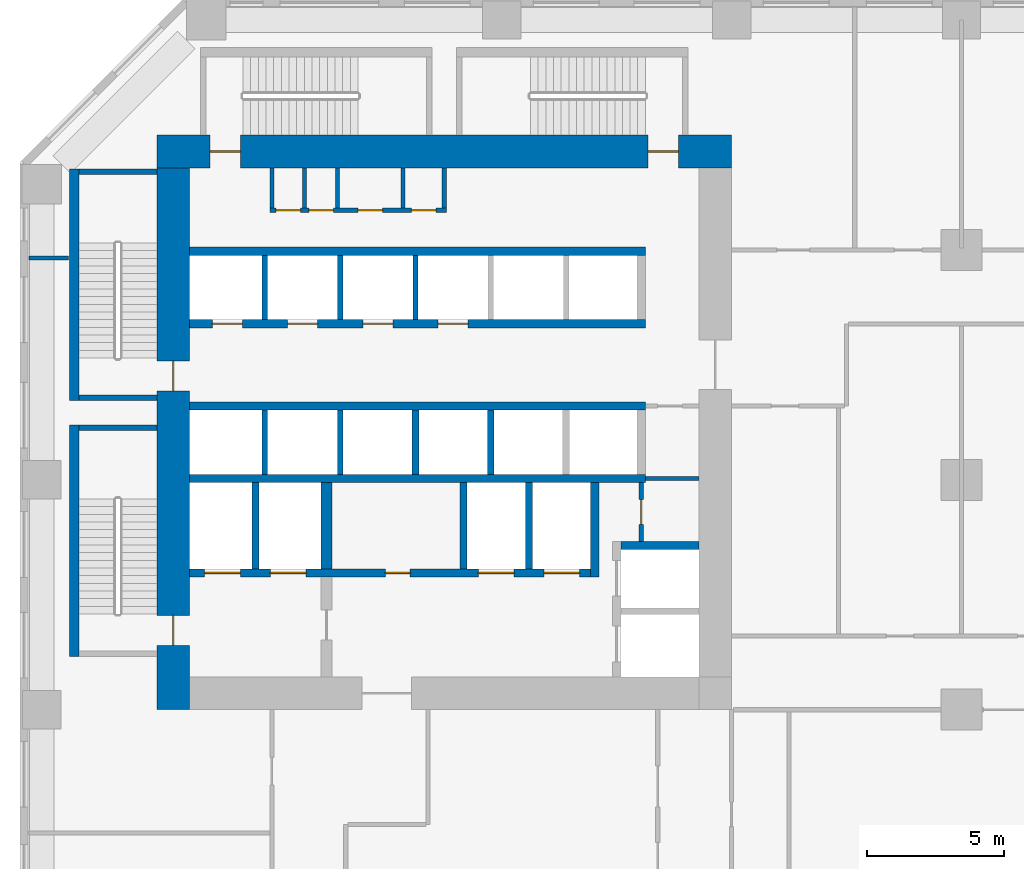
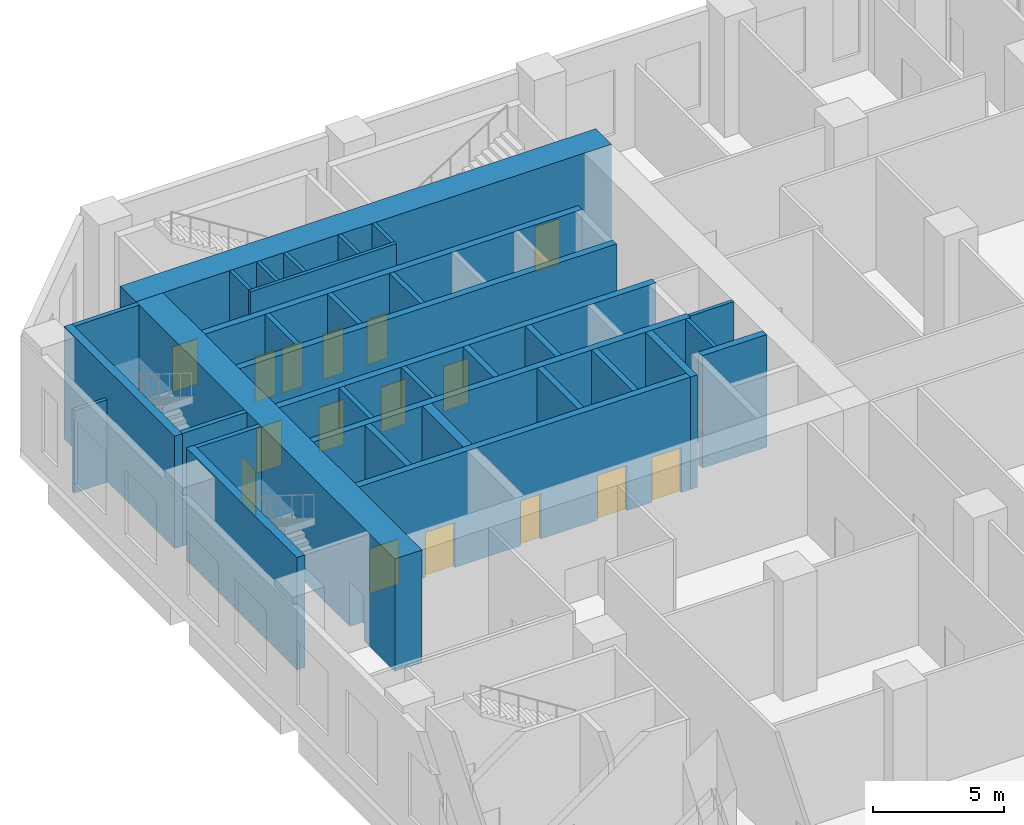
# One storey, part 7 of 17: 34 walls, 18 doors, 18 openings.
"""IFC4 building model written with IfcOpenShell, lengths in metres."""

from ifc_helpers import new_model, si_unit, direction, frame, frame_2d, origin, place, context, subcontext, project, spatial, rectangle, extrude, material, layer, layer_set, type_object, element, fill, save


model = new_model("IFC4")

# Units and contexts
model_context = context("Model", 3, precision=1e-05, world=origin(), true_north=direction((0.0, 1.0)))
body_context = subcontext(model_context, "Body", "Model", "MODEL_VIEW")
ifc_project = project(units=[si_unit("LENGTHUNIT", "METRE"), si_unit("AREAUNIT", "SQUARE_METRE"), si_unit("VOLUMEUNIT", "CUBIC_METRE"), si_unit("PLANEANGLEUNIT", "RADIAN"), si_unit("MASSUNIT", "GRAM", prefix="KILO")], contexts=[model_context])

# Site, building, storey
site_placement = place(None, origin())
site = spatial("IfcSite", under=ifc_project, at=site_placement, CompositionType="ELEMENT")
building_placement = place(site_placement, origin())
building = spatial("IfcBuilding", under=site, at=building_placement, Name="Kawkab Arch Medical Tower", CompositionType="ELEMENT")
storey_placement = place(building_placement, frame((0.0, 0.0, 7.0)))
storey = spatial("IfcBuildingStorey", under=building, at=storey_placement, Name="L02", CompositionType="ELEMENT", Elevation=7.0)

# Wall, openings, doors
ifc_material_1 = material(Name="Concrete C60/75", Category="concrete")
ifc_layer_1 = layer(ifc_material_1, 1.199951171875)
ifc_layer_set_1 = layer_set([ifc_layer_1], Name="Concrete C60/75")
wall_type_1 = type_object("IfcWallType", Name="Core ring wall 1200 C60/75", PredefinedType="SHEAR", material=ifc_layer_set_1)
wall_1_placement = place(storey_placement, frame((4.199951171875, -4.800048828125, 0.0), z_axis=(0.0, 0.0, 1.0), x_axis=(1.0, 0.0, 0.0)))
wall_1 = element("IfcWall", 1, at=wall_1_placement, inside=storey, type_object=wall_type_1, Name="L02 core wall", PredefinedType="SHEAR", context=body_context, shape_type="SweptSolid", body=[
    extrude(rectangle(XDim=21.0, YDim=1.199951171875, at=frame_2d((10.5, 0.0))), origin(), (0.0, 0.0, 1.0), 5.25),
])
opening_1_placement = place(wall_1_placement, frame((1.949951171875, 0.0, 0.0)))
opening_1 = element("IfcOpeningElement", 2, at=opening_1_placement, cuts=wall_1, Name="Opening SD", PredefinedType="OPENING", context=body_context, shape_type="SweptSolid", body=[
    extrude(rectangle(XDim=1.10009765625, YDim=2.10009765625, at=frame_2d((0.550048828125, 1.050048828125))), frame((0.0, 0.60986328125, 0.0), z_axis=(0.0, -1.0, 0.0), x_axis=(1.0, 0.0, 0.0)), (0.0, 0.0, 1.0), 1.219970703125),
])
opening_2_placement = place(wall_1_placement, frame((17.949951171875, 0.0, 0.0)))
opening_2 = element("IfcOpeningElement", 3, at=opening_2_placement, cuts=wall_1, Name="Opening SD", PredefinedType="OPENING", context=body_context, shape_type="SweptSolid", body=[
    extrude(rectangle(XDim=1.10009765625, YDim=2.10009765625, at=frame_2d((0.550048828125, 1.050048828125))), frame((0.0, 0.60986328125, 0.0), z_axis=(0.0, -1.0, 0.0), x_axis=(1.0, 0.0, 0.0)), (0.0, 0.0, 1.0), 1.219970703125),
])
ifc_material_2 = material(Name="Hollow metal fire door leaf")
door_type_1 = type_object("IfcDoorType", Name="Exit stair door 1100", OperationType="SINGLE_SWING_LEFT", PredefinedType="DOOR", material=ifc_material_2)
door_1_placement = place(opening_1_placement, origin())
door_1 = element("IfcDoor", 4, at=door_1_placement, inside=storey, type_object=door_type_1, Name="L02 Exit stair ST3 door", OperationType="SINGLE_SWING_LEFT", OverallHeight=2.10009765625, OverallWidth=1.10009765625, PredefinedType="DOOR", context=body_context, shape_type="SweptSolid", body=[
    extrude(rectangle(XDim=1.10009765625, YDim=2.10009765625, at=frame_2d((0.550048828125, 1.050048828125))), frame((0.0, 0.02490234375, 0.0), z_axis=(0.0, -1.0, 0.0), x_axis=(1.0, 0.0, 0.0)), (0.0, 0.0, 1.0), 0.050048828125),
])
fill(opening_1, door_1)
door_2_placement = place(opening_2_placement, origin())
door_2 = element("IfcDoor", 5, at=door_2_placement, inside=storey, type_object=door_type_1, Name="L02 Exit stair ST4 door", OperationType="SINGLE_SWING_LEFT", OverallHeight=2.10009765625, OverallWidth=1.10009765625, PredefinedType="DOOR", context=body_context, shape_type="SweptSolid", body=[
    extrude(rectangle(XDim=1.10009765625, YDim=2.10009765625, at=frame_2d((0.550048828125, 1.050048828125))), frame((0.0, 0.02490234375, 0.0), z_axis=(0.0, -1.0, 0.0), x_axis=(1.0, 0.0, 0.0)), (0.0, 0.0, 1.0), 0.050048828125),
])
fill(opening_2, door_2)

wall_2_placement = place(storey_placement, frame((4.800048828125, -25.199951171875, 0.0), z_axis=(0.0, 0.0, 1.0), x_axis=(0.0, 1.0, 0.0)))
wall_2 = element("IfcWall", 6, at=wall_2_placement, inside=storey, type_object=wall_type_1, Name="L02 core wall", PredefinedType="SHEAR", context=body_context, shape_type="SweptSolid", body=[
    extrude(rectangle(XDim=19.800048828125, YDim=1.199951171875, at=frame_2d((9.89990234375, 0.0))), origin(), (0.0, 0.0, 1.0), 5.25),
])
opening_3_placement = place(wall_2_placement, frame((11.64990234375, 0.0, 0.0)))
opening_3 = element("IfcOpeningElement", 7, at=opening_3_placement, cuts=wall_2, Name="Opening SD", PredefinedType="OPENING", context=body_context, shape_type="SweptSolid", body=[
    extrude(rectangle(XDim=1.10009765625, YDim=2.10009765625, at=frame_2d((0.550048828125, 1.050048828125))), frame((0.0, 0.60986328125, 0.0), z_axis=(0.0, -1.0, 0.0), x_axis=(1.0, 0.0, 0.0)), (0.0, 0.0, 1.0), 1.219970703125),
])
opening_4_placement = place(wall_2_placement, frame((2.35009765625, 0.0, 0.0)))
opening_4 = element("IfcOpeningElement", 8, at=opening_4_placement, cuts=wall_2, Name="Opening SD", PredefinedType="OPENING", context=body_context, shape_type="SweptSolid", body=[
    extrude(rectangle(XDim=1.10009765625, YDim=2.10009765625, at=frame_2d((0.550048828125, 1.050048828125))), frame((0.0, 0.60986328125, 0.0), z_axis=(0.0, -1.0, 0.0), x_axis=(1.0, 0.0, 0.0)), (0.0, 0.0, 1.0), 1.219970703125),
])
door_3_placement = place(opening_3_placement, origin())
door_3 = element("IfcDoor", 9, at=door_3_placement, inside=storey, type_object=door_type_1, Name="L02 Exit stair ST1 door", OperationType="SINGLE_SWING_LEFT", OverallHeight=2.10009765625, OverallWidth=1.10009765625, PredefinedType="DOOR", context=body_context, shape_type="SweptSolid", body=[
    extrude(rectangle(XDim=1.10009765625, YDim=2.10009765625, at=frame_2d((0.550048828125, 1.050048828125))), frame((0.0, 0.02490234375, 0.0), z_axis=(0.0, -1.0, 0.0), x_axis=(1.0, 0.0, 0.0)), (0.0, 0.0, 1.0), 0.050048828125),
])
fill(opening_3, door_3)
door_4_placement = place(opening_4_placement, origin())
door_4 = element("IfcDoor", 10, at=door_4_placement, inside=storey, type_object=door_type_1, Name="L02 Exit stair ST2 door", OperationType="SINGLE_SWING_LEFT", OverallHeight=2.10009765625, OverallWidth=1.10009765625, PredefinedType="DOOR", context=body_context, shape_type="SweptSolid", body=[
    extrude(rectangle(XDim=1.10009765625, YDim=2.10009765625, at=frame_2d((0.550048828125, 1.050048828125))), frame((0.0, 0.02490234375, 0.0), z_axis=(0.0, -1.0, 0.0), x_axis=(1.0, 0.0, 0.0)), (0.0, 0.0, 1.0), 0.050048828125),
])
fill(opening_4, door_4)

# Wall, opening, door
ifc_material_3 = material(Name="Gypsum board on steel studs", Category="steel")
ifc_layer_2 = layer(ifc_material_3, 0.14990234375)
ifc_layer_set_2 = layer_set([ifc_layer_2], Name="Gypsum board on steel studs")
wall_type_2 = type_object("IfcWallType", Name="Core room partition 150", PredefinedType="PARTITIONING", material=ifc_layer_set_2)
wall_3_placement = place(storey_placement, frame((21.89990234375, -19.050048828125, 0.0), z_axis=(0.0, 0.0, 1.0), x_axis=(0.0, 1.0, 0.0)))
wall_3 = element("IfcWall", 11, at=wall_3_placement, inside=storey, type_object=wall_type_2, Name="L02 core room partition", PredefinedType="PARTITIONING", context=body_context, shape_type="SweptSolid", body=[
    extrude(rectangle(XDim=2.150146484375, YDim=0.14990234375, at=frame_2d((1.0751953125, 0.0))), origin(), (0.0, 0.0, 1.0), 5.25),
])
opening_5_placement = place(wall_3_placement, frame((0.625, 0.0, 0.0)))
opening_5 = element("IfcOpeningElement", 12, at=opening_5_placement, cuts=wall_3, Name="Opening RD", PredefinedType="OPENING", context=body_context, shape_type="SweptSolid", body=[
    extrude(rectangle(XDim=0.89990234375, YDim=2.10009765625, at=frame_2d((0.449951171875, 1.050048828125))), frame((0.0, 0.0849609375, 0.0), z_axis=(0.0, -1.0, 0.0), x_axis=(1.0, 0.0, 0.0)), (0.0, 0.0, 1.0), 0.169921875),
])
ifc_material_4 = material(Name="Hollow metal fire door leaf")
door_type_2 = type_object("IfcDoorType", Name="Core room door 900", OperationType="SINGLE_SWING_LEFT", PredefinedType="DOOR", material=ifc_material_4)
door_5_placement = place(opening_5_placement, origin())
door_5 = element("IfcDoor", 13, at=door_5_placement, inside=storey, type_object=door_type_2, Name="L02 Staff WC door", OperationType="SINGLE_SWING_LEFT", OverallHeight=2.10009765625, OverallWidth=0.89990234375, PredefinedType="DOOR", context=body_context, shape_type="SweptSolid", body=[
    extrude(rectangle(XDim=0.89990234375, YDim=2.10009765625, at=frame_2d((0.449951171875, 1.050048828125))), frame((0.0, 0.02490234375, 0.0), z_axis=(0.0, -1.0, 0.0), x_axis=(1.0, 0.0, 0.0)), (0.0, 0.0, 1.0), 0.050048828125),
])
fill(opening_5, door_5)

# Wall
wall_4_placement = place(storey_placement, frame((22.050048828125, -16.75, 0.0), z_axis=(0.0, 0.0, 1.0), x_axis=(1.0, 0.0, 0.0)))
element("IfcWall", 14, at=wall_4_placement, inside=storey, type_object=wall_type_2, Name="L02 core room partition", PredefinedType="PARTITIONING", context=body_context, shape_type="SweptSolid", body=[
    extrude(rectangle(XDim=1.949951171875, YDim=0.14990234375, at=frame_2d((0.97509765625, 0.0))), origin(), (0.0, 0.0, 1.0), 5.25),
])

# Wall, openings, doors
wall_5_placement = place(storey_placement, frame((8.324951171875, -6.949951171875, 0.0), z_axis=(0.0, 0.0, 1.0), x_axis=(1.0, 0.0, 0.0)))
wall_5 = element("IfcWall", 15, at=wall_5_placement, inside=storey, type_object=wall_type_2, Name="L02 core room partition", PredefinedType="PARTITIONING", context=body_context, shape_type="SweptSolid", body=[
    extrude(rectangle(XDim=6.449951171875, YDim=0.14990234375, at=frame_2d((3.22509765625, 0.0))), origin(), (0.0, 0.0, 1.0), 5.25),
])
opening_6_placement = place(wall_5_placement, frame((0.22509765625, 0.0, 0.0)))
opening_6 = element("IfcOpeningElement", 16, at=opening_6_placement, cuts=wall_5, Name="Opening RD", PredefinedType="OPENING", context=body_context, shape_type="SweptSolid", body=[
    extrude(rectangle(XDim=0.89990234375, YDim=2.10009765625, at=frame_2d((0.449951171875, 1.050048828125))), frame((0.0, 0.0849609375, 0.0), z_axis=(0.0, -1.0, 0.0), x_axis=(1.0, 0.0, 0.0)), (0.0, 0.0, 1.0), 0.169921875),
])
opening_7_placement = place(wall_5_placement, frame((1.425048828125, 0.0, 0.0)))
opening_7 = element("IfcOpeningElement", 17, at=opening_7_placement, cuts=wall_5, Name="Opening RD", PredefinedType="OPENING", context=body_context, shape_type="SweptSolid", body=[
    extrude(rectangle(XDim=0.89990234375, YDim=2.10009765625, at=frame_2d((0.449951171875, 1.050048828125))), frame((0.0, 0.0849609375, 0.0), z_axis=(0.0, -1.0, 0.0), x_axis=(1.0, 0.0, 0.0)), (0.0, 0.0, 1.0), 0.169921875),
])
opening_8_placement = place(wall_5_placement, frame((3.22509765625, 0.0, 0.0)))
opening_8 = element("IfcOpeningElement", 18, at=opening_8_placement, cuts=wall_5, Name="Opening RD", PredefinedType="OPENING", context=body_context, shape_type="SweptSolid", body=[
    extrude(rectangle(XDim=0.89990234375, YDim=2.10009765625, at=frame_2d((0.449951171875, 1.050048828125))), frame((0.0, 0.0849609375, 0.0), z_axis=(0.0, -1.0, 0.0), x_axis=(1.0, 0.0, 0.0)), (0.0, 0.0, 1.0), 0.169921875),
])
opening_9_placement = place(wall_5_placement, frame((5.175048828125, 0.0, 0.0)))
opening_9 = element("IfcOpeningElement", 19, at=opening_9_placement, cuts=wall_5, Name="Opening RD", PredefinedType="OPENING", context=body_context, shape_type="SweptSolid", body=[
    extrude(rectangle(XDim=0.89990234375, YDim=2.10009765625, at=frame_2d((0.449951171875, 1.050048828125))), frame((0.0, 0.0849609375, 0.0), z_axis=(0.0, -1.0, 0.0), x_axis=(1.0, 0.0, 0.0)), (0.0, 0.0, 1.0), 0.169921875),
])
door_6_placement = place(opening_6_placement, origin())
door_6 = element("IfcDoor", 20, at=door_6_placement, inside=storey, type_object=door_type_2, Name="L02 Electrical riser room door", OperationType="SINGLE_SWING_LEFT", OverallHeight=2.10009765625, OverallWidth=0.89990234375, PredefinedType="DOOR", context=body_context, shape_type="SweptSolid", body=[
    extrude(rectangle(XDim=0.89990234375, YDim=2.10009765625, at=frame_2d((0.449951171875, 1.050048828125))), frame((0.0, 0.02490234375, 0.0), z_axis=(0.0, -1.0, 0.0), x_axis=(1.0, 0.0, 0.0)), (0.0, 0.0, 1.0), 0.050048828125),
])
fill(opening_6, door_6)
door_7_placement = place(opening_7_placement, origin())
door_7 = element("IfcDoor", 21, at=door_7_placement, inside=storey, type_object=door_type_2, Name="L02 Medication store door", OperationType="SINGLE_SWING_LEFT", OverallHeight=2.10009765625, OverallWidth=0.89990234375, PredefinedType="DOOR", context=body_context, shape_type="SweptSolid", body=[
    extrude(rectangle(XDim=0.89990234375, YDim=2.10009765625, at=frame_2d((0.449951171875, 1.050048828125))), frame((0.0, 0.02490234375, 0.0), z_axis=(0.0, -1.0, 0.0), x_axis=(1.0, 0.0, 0.0)), (0.0, 0.0, 1.0), 0.050048828125),
])
fill(opening_7, door_7)
door_8_placement = place(opening_8_placement, origin())
door_8 = element("IfcDoor", 22, at=door_8_placement, inside=storey, type_object=door_type_2, Name="L02 Clean utility room door", OperationType="SINGLE_SWING_LEFT", OverallHeight=2.10009765625, OverallWidth=0.89990234375, PredefinedType="DOOR", context=body_context, shape_type="SweptSolid", body=[
    extrude(rectangle(XDim=0.89990234375, YDim=2.10009765625, at=frame_2d((0.449951171875, 1.050048828125))), frame((0.0, 0.02490234375, 0.0), z_axis=(0.0, -1.0, 0.0), x_axis=(1.0, 0.0, 0.0)), (0.0, 0.0, 1.0), 0.050048828125),
])
fill(opening_8, door_8)
door_9_placement = place(opening_9_placement, origin())
door_9 = element("IfcDoor", 23, at=door_9_placement, inside=storey, type_object=door_type_2, Name="L02 Dirty utility room door", OperationType="SINGLE_SWING_LEFT", OverallHeight=2.10009765625, OverallWidth=0.89990234375, PredefinedType="DOOR", context=body_context, shape_type="SweptSolid", body=[
    extrude(rectangle(XDim=0.89990234375, YDim=2.10009765625, at=frame_2d((0.449951171875, 1.050048828125))), frame((0.0, 0.02490234375, 0.0), z_axis=(0.0, -1.0, 0.0), x_axis=(1.0, 0.0, 0.0)), (0.0, 0.0, 1.0), 0.050048828125),
])
fill(opening_9, door_9)

# Walls
for number, where, z_axis, x_axis, name in (
    (24, (8.39990234375, -6.875, 0.0), (0.0, 0.0, 1.0), (0.0, 1.0, 0.0), "L02 core room partition"),
    (25, (9.60009765625, -6.875, 0.0), (0.0, 0.0, 1.0), (0.0, 1.0, 0.0), "L02 core room partition"),
    (26, (10.800048828125, -6.875, 0.0), (0.0, 0.0, 1.0), (0.0, 1.0, 0.0), "L02 core room partition"),
    (27, (13.199951171875, -6.875, 0.0), (0.0, 0.0, 1.0), (0.0, 1.0, 0.0), "L02 core room partition"),
    (28, (14.699951171875, -6.875, 0.0), (0.0, 0.0, 1.0), (0.0, 1.0, 0.0), "L02 core room partition"),
):
    element("IfcWall", number, at=place(storey_placement, frame(where, z_axis=z_axis, x_axis=x_axis)), inside=storey, type_object=wall_type_2, Name=name, PredefinedType="PARTITIONING", context=body_context, shape_type="SweptSolid", body=[
        extrude(rectangle(XDim=1.47509765625, YDim=0.14990234375, at=frame_2d((0.737548828125, 0.0))), origin(), (0.0, 0.0, 1.0), 5.25),
    ])
ifc_material_5 = material(Name="Concrete C60/75", Category="concrete")
ifc_layer_3 = layer(ifc_material_5, 0.25)
ifc_layer_set_3 = layer_set([ifc_layer_3], Name="Concrete C60/75")
wall_type_3 = type_object("IfcWallType", Name="Core shear wall 250 C60/75", PredefinedType="SHEAR", material=ifc_layer_set_3)
for number, where, z_axis, x_axis, name in (
    (29, (7.800048828125, -20.050048828125, 0.0), (0.0, 0.0, 1.0), (0.0, 1.0, 0.0), "L02 core shear wall"),
    (30, (15.39990234375, -20.050048828125, 0.0), (0.0, 0.0, 1.0), (0.0, 1.0, 0.0), "L02 core shear wall"),
    (31, (17.800048828125, -20.050048828125, 0.0), (0.0, 0.0, 1.0), (0.0, 1.0, 0.0), "L02 core shear wall"),
):
    element("IfcWall", number, at=place(storey_placement, frame(where, z_axis=z_axis, x_axis=x_axis)), inside=storey, type_object=wall_type_3, Name=name, PredefinedType="SHEAR", context=body_context, shape_type="SweptSolid", body=[
        extrude(rectangle(XDim=3.150146484375, YDim=0.25, at=frame_2d((1.5751953125, 0.0))), origin(), (0.0, 0.0, 1.0), 5.25),
    ])
for number, where, z_axis, x_axis, name in (
    (32, (13.64990234375, -16.60009765625, 0.0), (0.0, 0.0, 1.0), (0.0, 1.0, 0.0), "L02 core shear wall"),
    (33, (16.39990234375, -16.60009765625, 0.0), (0.0, 0.0, 1.0), (0.0, 1.0, 0.0), "L02 core shear wall"),
):
    element("IfcWall", number, at=place(storey_placement, frame(where, z_axis=z_axis, x_axis=x_axis)), inside=storey, type_object=wall_type_3, Name=name, PredefinedType="SHEAR", context=body_context, shape_type="SweptSolid", body=[
        extrude(rectangle(XDim=2.35009765625, YDim=0.25, at=frame_2d((1.175048828125, 0.0))), origin(), (0.0, 0.0, 1.0), 5.25),
    ])
ifc_material_6 = material(Name="Concrete C60/75", Category="concrete")
ifc_layer_4 = layer(ifc_material_6, 0.300048828125)
ifc_layer_set_4 = layer_set([ifc_layer_4], Name="Concrete C60/75")
wall_type_4 = type_object("IfcWallType", Name="Core shear wall 300 C60/75", PredefinedType="SHEAR", material=ifc_layer_set_4)
wall_6_placement = place(storey_placement, frame((5.39990234375, -8.449951171875, 0.0), z_axis=(0.0, 0.0, 1.0), x_axis=(1.0, 0.0, 0.0)))
element("IfcWall", 34, at=wall_6_placement, inside=storey, type_object=wall_type_4, Name="L02 core shear wall", PredefinedType="SHEAR", context=body_context, shape_type="SweptSolid", body=[
    extrude(rectangle(XDim=16.650146484375, YDim=0.300048828125, at=frame_2d((8.3251953125, 0.0))), origin(), (0.0, 0.0, 1.0), 5.25),
])

# Wall, openings, doors
wall_7_placement = place(storey_placement, frame((5.39990234375, -11.10009765625, 0.0), z_axis=(0.0, 0.0, 1.0), x_axis=(1.0, 0.0, 0.0)))
wall_7 = element("IfcWall", 35, at=wall_7_placement, inside=storey, type_object=wall_type_4, Name="L02 core shear wall", PredefinedType="SHEAR", context=body_context, shape_type="SweptSolid", body=[
    extrude(rectangle(XDim=16.650146484375, YDim=0.300048828125, at=frame_2d((8.3251953125, 0.0))), origin(), (0.0, 0.0, 1.0), 5.25),
])
opening_10_placement = place(wall_7_placement, frame((0.824951171875, 0.0, 0.0)))
opening_10 = element("IfcOpeningElement", 36, at=opening_10_placement, cuts=wall_7, Name="Opening LD1", PredefinedType="OPENING", context=body_context, shape_type="SweptSolid", body=[
    extrude(rectangle(XDim=1.10009765625, YDim=2.10009765625, at=frame_2d((0.550048828125, 1.050048828125))), frame((0.0, 0.159912109375, 0.0), z_axis=(0.0, -1.0, 0.0), x_axis=(1.0, 0.0, 0.0)), (0.0, 0.0, 1.0), 0.320068359375),
])
opening_11_placement = place(wall_7_placement, frame((3.574951171875, 0.0, 0.0)))
opening_11 = element("IfcOpeningElement", 37, at=opening_11_placement, cuts=wall_7, Name="Opening LD1", PredefinedType="OPENING", context=body_context, shape_type="SweptSolid", body=[
    extrude(rectangle(XDim=1.10009765625, YDim=2.10009765625, at=frame_2d((0.550048828125, 1.050048828125))), frame((0.0, 0.159912109375, 0.0), z_axis=(0.0, -1.0, 0.0), x_axis=(1.0, 0.0, 0.0)), (0.0, 0.0, 1.0), 0.320068359375),
])
opening_12_placement = place(wall_7_placement, frame((6.324951171875, 0.0, 0.0)))
opening_12 = element("IfcOpeningElement", 38, at=opening_12_placement, cuts=wall_7, Name="Opening LD1", PredefinedType="OPENING", context=body_context, shape_type="SweptSolid", body=[
    extrude(rectangle(XDim=1.10009765625, YDim=2.10009765625, at=frame_2d((0.550048828125, 1.050048828125))), frame((0.0, 0.159912109375, 0.0), z_axis=(0.0, -1.0, 0.0), x_axis=(1.0, 0.0, 0.0)), (0.0, 0.0, 1.0), 0.320068359375),
])
opening_13_placement = place(wall_7_placement, frame((9.074951171875, 0.0, 0.0)))
opening_13 = element("IfcOpeningElement", 39, at=opening_13_placement, cuts=wall_7, Name="Opening LD1", PredefinedType="OPENING", context=body_context, shape_type="SweptSolid", body=[
    extrude(rectangle(XDim=1.10009765625, YDim=2.10009765625, at=frame_2d((0.550048828125, 1.050048828125))), frame((0.0, 0.159912109375, 0.0), z_axis=(0.0, -1.0, 0.0), x_axis=(1.0, 0.0, 0.0)), (0.0, 0.0, 1.0), 0.320068359375),
])
ifc_material_7 = material(Name="Stainless steel lift door leaf", Category="steel")
door_type_3 = type_object("IfcDoorType", Name="Lift landing door 1100", OperationType="DOUBLE_DOOR_SLIDING", PredefinedType="DOOR", material=ifc_material_7)
door_10_placement = place(opening_10_placement, origin())
door_10 = element("IfcDoor", 40, at=door_10_placement, inside=storey, type_object=door_type_3, Name="L02 Lift landing door LP1", OperationType="DOUBLE_DOOR_SLIDING", OverallHeight=2.10009765625, OverallWidth=1.10009765625, PredefinedType="DOOR", context=body_context, shape_type="SweptSolid", body=[
    extrude(rectangle(XDim=1.10009765625, YDim=2.10009765625, at=frame_2d((0.550048828125, 1.050048828125))), frame((0.0, 0.02490234375, 0.0), z_axis=(0.0, -1.0, 0.0), x_axis=(1.0, 0.0, 0.0)), (0.0, 0.0, 1.0), 0.050048828125),
])
fill(opening_10, door_10)
door_11_placement = place(opening_11_placement, origin())
door_11 = element("IfcDoor", 41, at=door_11_placement, inside=storey, type_object=door_type_3, Name="L02 Lift landing door LP2", OperationType="DOUBLE_DOOR_SLIDING", OverallHeight=2.10009765625, OverallWidth=1.10009765625, PredefinedType="DOOR", context=body_context, shape_type="SweptSolid", body=[
    extrude(rectangle(XDim=1.10009765625, YDim=2.10009765625, at=frame_2d((0.550048828125, 1.050048828125))), frame((0.0, 0.02490234375, 0.0), z_axis=(0.0, -1.0, 0.0), x_axis=(1.0, 0.0, 0.0)), (0.0, 0.0, 1.0), 0.050048828125),
])
fill(opening_11, door_11)
door_12_placement = place(opening_12_placement, origin())
door_12 = element("IfcDoor", 42, at=door_12_placement, inside=storey, type_object=door_type_3, Name="L02 Lift landing door LP3", OperationType="DOUBLE_DOOR_SLIDING", OverallHeight=2.10009765625, OverallWidth=1.10009765625, PredefinedType="DOOR", context=body_context, shape_type="SweptSolid", body=[
    extrude(rectangle(XDim=1.10009765625, YDim=2.10009765625, at=frame_2d((0.550048828125, 1.050048828125))), frame((0.0, 0.02490234375, 0.0), z_axis=(0.0, -1.0, 0.0), x_axis=(1.0, 0.0, 0.0)), (0.0, 0.0, 1.0), 0.050048828125),
])
fill(opening_12, door_12)
door_13_placement = place(opening_13_placement, origin())
door_13 = element("IfcDoor", 43, at=door_13_placement, inside=storey, type_object=door_type_3, Name="L02 Lift landing door LP4", OperationType="DOUBLE_DOOR_SLIDING", OverallHeight=2.10009765625, OverallWidth=1.10009765625, PredefinedType="DOOR", context=body_context, shape_type="SweptSolid", body=[
    extrude(rectangle(XDim=1.10009765625, YDim=2.10009765625, at=frame_2d((0.550048828125, 1.050048828125))), frame((0.0, 0.02490234375, 0.0), z_axis=(0.0, -1.0, 0.0), x_axis=(1.0, 0.0, 0.0)), (0.0, 0.0, 1.0), 0.050048828125),
])
fill(opening_13, door_13)

# Walls
for number, where, z_axis, x_axis, name in (
    (44, (5.39990234375, -14.10009765625, 0.0), (0.0, 0.0, 1.0), (1.0, 0.0, 0.0), "L02 core shear wall"),
    (45, (5.39990234375, -16.75, 0.0), (0.0, 0.0, 1.0), (1.0, 0.0, 0.0), "L02 core shear wall"),
):
    element("IfcWall", number, at=place(storey_placement, frame(where, z_axis=z_axis, x_axis=x_axis)), inside=storey, type_object=wall_type_4, Name=name, PredefinedType="SHEAR", context=body_context, shape_type="SweptSolid", body=[
        extrude(rectangle(XDim=16.650146484375, YDim=0.300048828125, at=frame_2d((8.3251953125, 0.0))), origin(), (0.0, 0.0, 1.0), 5.25),
    ])

# Wall, openings, doors
wall_8_placement = place(storey_placement, frame((5.39990234375, -20.199951171875, 0.0), z_axis=(0.0, 0.0, 1.0), x_axis=(1.0, 0.0, 0.0)))
wall_8 = element("IfcWall", 46, at=wall_8_placement, inside=storey, type_object=wall_type_4, Name="L02 core shear wall", PredefinedType="SHEAR", context=body_context, shape_type="SweptSolid", body=[
    extrude(rectangle(XDim=14.650146484375, YDim=0.300048828125, at=frame_2d((7.3251953125, 0.0))), origin(), (0.0, 0.0, 1.0), 5.25),
])
opening_14_placement = place(wall_8_placement, frame((10.550048828125, 0.0, 0.0)))
opening_14 = element("IfcOpeningElement", 47, at=opening_14_placement, cuts=wall_8, Name="Opening LD2", PredefinedType="OPENING", context=body_context, shape_type="SweptSolid", body=[
    extrude(rectangle(XDim=1.300048828125, YDim=2.10009765625, at=frame_2d((0.64990234375, 1.050048828125))), frame((0.0, 0.159912109375, 0.0), z_axis=(0.0, -1.0, 0.0), x_axis=(1.0, 0.0, 0.0)), (0.0, 0.0, 1.0), 0.320068359375),
])
opening_15_placement = place(wall_8_placement, frame((12.949951171875, 0.0, 0.0)))
opening_15 = element("IfcOpeningElement", 48, at=opening_15_placement, cuts=wall_8, Name="Opening LD2", PredefinedType="OPENING", context=body_context, shape_type="SweptSolid", body=[
    extrude(rectangle(XDim=1.300048828125, YDim=2.10009765625, at=frame_2d((0.64990234375, 1.050048828125))), frame((0.0, 0.159912109375, 0.0), z_axis=(0.0, -1.0, 0.0), x_axis=(1.0, 0.0, 0.0)), (0.0, 0.0, 1.0), 0.320068359375),
])
opening_16_placement = place(wall_8_placement, frame((0.550048828125, 0.0, 0.0)))
opening_16 = element("IfcOpeningElement", 49, at=opening_16_placement, cuts=wall_8, Name="Opening LD2", PredefinedType="OPENING", context=body_context, shape_type="SweptSolid", body=[
    extrude(rectangle(XDim=1.300048828125, YDim=2.10009765625, at=frame_2d((0.64990234375, 1.050048828125))), frame((0.0, 0.159912109375, 0.0), z_axis=(0.0, -1.0, 0.0), x_axis=(1.0, 0.0, 0.0)), (0.0, 0.0, 1.0), 0.320068359375),
])
opening_17_placement = place(wall_8_placement, frame((2.949951171875, 0.0, 0.0)))
opening_17 = element("IfcOpeningElement", 50, at=opening_17_placement, cuts=wall_8, Name="Opening LD2", PredefinedType="OPENING", context=body_context, shape_type="SweptSolid", body=[
    extrude(rectangle(XDim=1.300048828125, YDim=2.10009765625, at=frame_2d((0.64990234375, 1.050048828125))), frame((0.0, 0.159912109375, 0.0), z_axis=(0.0, -1.0, 0.0), x_axis=(1.0, 0.0, 0.0)), (0.0, 0.0, 1.0), 0.320068359375),
])
opening_18_placement = place(wall_8_placement, frame((7.14990234375, 0.0, 0.0)))
opening_18 = element("IfcOpeningElement", 51, at=opening_18_placement, cuts=wall_8, Name="Opening RD", PredefinedType="OPENING", context=body_context, shape_type="SweptSolid", body=[
    extrude(rectangle(XDim=0.89990234375, YDim=2.10009765625, at=frame_2d((0.449951171875, 1.050048828125))), frame((0.0, 0.159912109375, 0.0), z_axis=(0.0, -1.0, 0.0), x_axis=(1.0, 0.0, 0.0)), (0.0, 0.0, 1.0), 0.320068359375),
])
door_14_placement = place(opening_18_placement, origin())
door_14 = element("IfcDoor", 52, at=door_14_placement, inside=storey, type_object=door_type_2, Name="L02 Housekeeping store door", OperationType="SINGLE_SWING_LEFT", OverallHeight=2.10009765625, OverallWidth=0.89990234375, PredefinedType="DOOR", context=body_context, shape_type="SweptSolid", body=[
    extrude(rectangle(XDim=0.89990234375, YDim=2.10009765625, at=frame_2d((0.449951171875, 1.050048828125))), frame((0.0, 0.02490234375, 0.0), z_axis=(0.0, -1.0, 0.0), x_axis=(1.0, 0.0, 0.0)), (0.0, 0.0, 1.0), 0.050048828125),
])
fill(opening_18, door_14)
ifc_material_8 = material(Name="Stainless steel lift door leaf", Category="steel")
door_type_4 = type_object("IfcDoorType", Name="Lift landing door 1300", OperationType="DOUBLE_DOOR_SLIDING", PredefinedType="DOOR", material=ifc_material_8)
door_15_placement = place(opening_14_placement, origin())
door_15 = element("IfcDoor", 53, at=door_15_placement, inside=storey, type_object=door_type_4, Name="L02 Lift landing door BD3", OperationType="DOUBLE_DOOR_SLIDING", OverallHeight=2.10009765625, OverallWidth=1.300048828125, PredefinedType="DOOR", context=body_context, shape_type="SweptSolid", body=[
    extrude(rectangle(XDim=1.300048828125, YDim=2.10009765625, at=frame_2d((0.64990234375, 1.050048828125))), frame((0.0, 0.02490234375, 0.0), z_axis=(0.0, -1.0, 0.0), x_axis=(1.0, 0.0, 0.0)), (0.0, 0.0, 1.0), 0.050048828125),
])
fill(opening_14, door_15)
door_16_placement = place(opening_15_placement, origin())
door_16 = element("IfcDoor", 54, at=door_16_placement, inside=storey, type_object=door_type_4, Name="L02 Lift landing door BD4", OperationType="DOUBLE_DOOR_SLIDING", OverallHeight=2.10009765625, OverallWidth=1.300048828125, PredefinedType="DOOR", context=body_context, shape_type="SweptSolid", body=[
    extrude(rectangle(XDim=1.300048828125, YDim=2.10009765625, at=frame_2d((0.64990234375, 1.050048828125))), frame((0.0, 0.02490234375, 0.0), z_axis=(0.0, -1.0, 0.0), x_axis=(1.0, 0.0, 0.0)), (0.0, 0.0, 1.0), 0.050048828125),
])
fill(opening_15, door_16)
door_17_placement = place(opening_16_placement, origin())
door_17 = element("IfcDoor", 55, at=door_17_placement, inside=storey, type_object=door_type_4, Name="L02 Lift landing door FL1", OperationType="DOUBLE_DOOR_SLIDING", OverallHeight=2.10009765625, OverallWidth=1.300048828125, PredefinedType="DOOR", context=body_context, shape_type="SweptSolid", body=[
    extrude(rectangle(XDim=1.300048828125, YDim=2.10009765625, at=frame_2d((0.64990234375, 1.050048828125))), frame((0.0, 0.02490234375, 0.0), z_axis=(0.0, -1.0, 0.0), x_axis=(1.0, 0.0, 0.0)), (0.0, 0.0, 1.0), 0.050048828125),
])
fill(opening_16, door_17)
door_18_placement = place(opening_17_placement, origin())
door_18 = element("IfcDoor", 56, at=door_18_placement, inside=storey, type_object=door_type_4, Name="L02 Lift landing door FL2", OperationType="DOUBLE_DOOR_SLIDING", OverallHeight=2.10009765625, OverallWidth=1.300048828125, PredefinedType="DOOR", context=body_context, shape_type="SweptSolid", body=[
    extrude(rectangle(XDim=1.300048828125, YDim=2.10009765625, at=frame_2d((0.64990234375, 1.050048828125))), frame((0.0, 0.02490234375, 0.0), z_axis=(0.0, -1.0, 0.0), x_axis=(1.0, 0.0, 0.0)), (0.0, 0.0, 1.0), 0.050048828125),
])
fill(opening_17, door_18)

# Walls
wall_9_placement = place(storey_placement, frame((20.199951171875, -20.35009765625, 0.0), z_axis=(0.0, 0.0, 1.0), x_axis=(0.0, 1.0, 0.0)))
element("IfcWall", 57, at=wall_9_placement, inside=storey, type_object=wall_type_4, Name="L02 core shear wall", PredefinedType="SHEAR", context=body_context, shape_type="SweptSolid", body=[
    extrude(rectangle(XDim=3.4501953125, YDim=0.300048828125, at=frame_2d((1.72509765625, 0.0))), origin(), (0.0, 0.0, 1.0), 5.25),
])
wall_10_placement = place(storey_placement, frame((21.14990234375, -19.199951171875, 0.0), z_axis=(0.0, 0.0, 1.0), x_axis=(1.0, 0.0, 0.0)))
element("IfcWall", 58, at=wall_10_placement, inside=storey, type_object=wall_type_4, Name="L02 core shear wall", PredefinedType="SHEAR", context=body_context, shape_type="SweptSolid", body=[
    extrude(rectangle(XDim=2.85009765625, YDim=0.300048828125, at=frame_2d((1.425048828125, 0.0))), origin(), (0.0, 0.0, 1.0), 5.25),
])
ifc_material_9 = material(Name="Concrete C60/75", Category="concrete")
ifc_layer_5 = layer(ifc_material_9, 0.39990234375)
ifc_layer_set_5 = layer_set([ifc_layer_5], Name="Concrete C60/75")
wall_type_5 = type_object("IfcWallType", Name="Core shear wall 400 C60/75", PredefinedType="SHEAR", material=ifc_layer_set_5)
wall_11_placement = place(storey_placement, frame((10.39990234375, -20.050048828125, 0.0), z_axis=(0.0, 0.0, 1.0), x_axis=(0.0, 1.0, 0.0)))
element("IfcWall", 59, at=wall_11_placement, inside=storey, type_object=wall_type_5, Name="L02 core shear wall", PredefinedType="SHEAR", context=body_context, shape_type="SweptSolid", body=[
    extrude(rectangle(XDim=3.150146484375, YDim=0.39990234375, at=frame_2d((1.5751953125, 0.0))), origin(), (0.0, 0.0, 1.0), 5.25),
])
ifc_material_10 = material(Name="Dense concrete blockwork", Category="masonry")
ifc_layer_6 = layer(ifc_material_10, 0.199951171875)
ifc_layer_set_6 = layer_set([ifc_layer_6], Name="Dense concrete blockwork")
wall_type_6 = type_object("IfcWallType", Name="Lift shaft partition 200", PredefinedType="PARTITIONING", material=ifc_layer_set_6)
for number, where, z_axis, x_axis, name in (
    (60, (8.14990234375, -10.949951171875, 0.0), (0.0, 0.0, 1.0), (0.0, 1.0, 0.0), "L02 lift shaft partition"),
    (61, (10.89990234375, -10.949951171875, 0.0), (0.0, 0.0, 1.0), (0.0, 1.0, 0.0), "L02 lift shaft partition"),
    (62, (13.64990234375, -10.949951171875, 0.0), (0.0, 0.0, 1.0), (0.0, 1.0, 0.0), "L02 lift shaft partition"),
):
    element("IfcWall", number, at=place(storey_placement, frame(where, z_axis=z_axis, x_axis=x_axis)), inside=storey, type_object=wall_type_6, Name=name, PredefinedType="PARTITIONING", context=body_context, shape_type="SweptSolid", body=[
        extrude(rectangle(XDim=2.349853515625, YDim=0.199951171875, at=frame_2d((1.1748046875, 0.0))), origin(), (0.0, 0.0, 1.0), 5.25),
    ])
for number, where, z_axis, x_axis, name in (
    (63, (8.14990234375, -16.60009765625, 0.0), (0.0, 0.0, 1.0), (0.0, 1.0, 0.0), "L02 lift shaft partition"),
    (64, (10.89990234375, -16.60009765625, 0.0), (0.0, 0.0, 1.0), (0.0, 1.0, 0.0), "L02 lift shaft partition"),
):
    element("IfcWall", number, at=place(storey_placement, frame(where, z_axis=z_axis, x_axis=x_axis)), inside=storey, type_object=wall_type_6, Name=name, PredefinedType="PARTITIONING", context=body_context, shape_type="SweptSolid", body=[
        extrude(rectangle(XDim=2.35009765625, YDim=0.199951171875, at=frame_2d((1.175048828125, 0.0))), origin(), (0.0, 0.0, 1.0), 5.25),
    ])
ifc_material_11 = material(Name="Gypsum board partition on steel studs, mineral wool", Category="steel")
ifc_layer_7 = layer(ifc_material_11, 0.14990234375)
ifc_layer_set_7 = layer_set([ifc_layer_7], Name="Gypsum board partition on steel studs, mineral wool")
wall_type_7 = type_object("IfcWallType", Name="Partition 150", PredefinedType="PARTITIONING", material=ifc_layer_set_7)
wall_12_placement = place(storey_placement, frame((-0.47998046875, -8.699951171875, 0.0), z_axis=(0.0, 0.0, 1.0), x_axis=(1.0, 0.0, 0.0)))
element("IfcWall", 65, at=wall_12_placement, inside=storey, type_object=wall_type_7, Name="Partition 150 w035", PredefinedType="PARTITIONING", context=body_context, shape_type="SweptSolid", body=[
    extrude(rectangle(XDim=1.449951171875, YDim=0.14990234375, at=frame_2d((0.72509765625, 0.0))), origin(), (0.0, 0.0, 1.0), 3.85009765625),
])
ifc_material_12 = material(Name="Concrete C50/60", Category="concrete")
ifc_layer_8 = layer(ifc_material_12, 0.199951171875)
ifc_layer_set_8 = layer_set([ifc_layer_8], Name="Concrete C50/60")
wall_type_8 = type_object("IfcWallType", Name="Stair enclosure wall 200 C50/60", PredefinedType="SHEAR", material=ifc_layer_set_8)
for number, where, z_axis, x_axis, name in (
    (66, (1.35009765625, -5.550048828125, 0.0), (0.0, 0.0, 1.0), (1.0, 0.0, 0.0), "L02 stair enclosure wall"),
    (67, (1.35009765625, -13.800048828125, 0.0), (0.0, 0.0, 1.0), (1.0, 0.0, 0.0), "L02 stair enclosure wall"),
    (68, (1.35009765625, -14.89990234375, 0.0), (0.0, 0.0, 1.0), (1.0, 0.0, 0.0), "L02 stair enclosure wall"),
):
    element("IfcWall", number, at=place(storey_placement, frame(where, z_axis=z_axis, x_axis=x_axis)), inside=storey, type_object=wall_type_8, Name=name, PredefinedType="SHEAR", context=body_context, shape_type="SweptSolid", body=[
        extrude(rectangle(XDim=2.849853515625, YDim=0.199951171875, at=frame_2d((1.4248046875, 0.0))), origin(), (0.0, 0.0, 1.0), 5.25),
    ])
ifc_material_13 = material(Name="Concrete C50/60", Category="concrete")
ifc_layer_9 = layer(ifc_material_13, 0.35009765625)
ifc_layer_set_9 = layer_set([ifc_layer_9], Name="Concrete C50/60")
wall_type_9 = type_object("IfcWallType", Name="Stair enclosure wall 350 C50/60", PredefinedType="SHEAR", material=ifc_layer_set_9)
for number, where, z_axis, x_axis, name in (
    (69, (1.175048828125, -13.89990234375, 0.0), (0.0, 0.0, 1.0), (0.0, 1.0, 0.0), "L02 stair enclosure wall"),
    (70, (1.175048828125, -23.25, 0.0), (0.0, 0.0, 1.0), (0.0, 1.0, 0.0), "L02 stair enclosure wall"),
):
    element("IfcWall", number, at=place(storey_placement, frame(where, z_axis=z_axis, x_axis=x_axis)), inside=storey, type_object=wall_type_9, Name=name, PredefinedType="SHEAR", context=body_context, shape_type="SweptSolid", body=[
        extrude(rectangle(XDim=8.449951171875, YDim=0.35009765625, at=frame_2d((4.22509765625, 0.0))), origin(), (0.0, 0.0, 1.0), 5.25),
    ])

save(model, "model.ifc")
